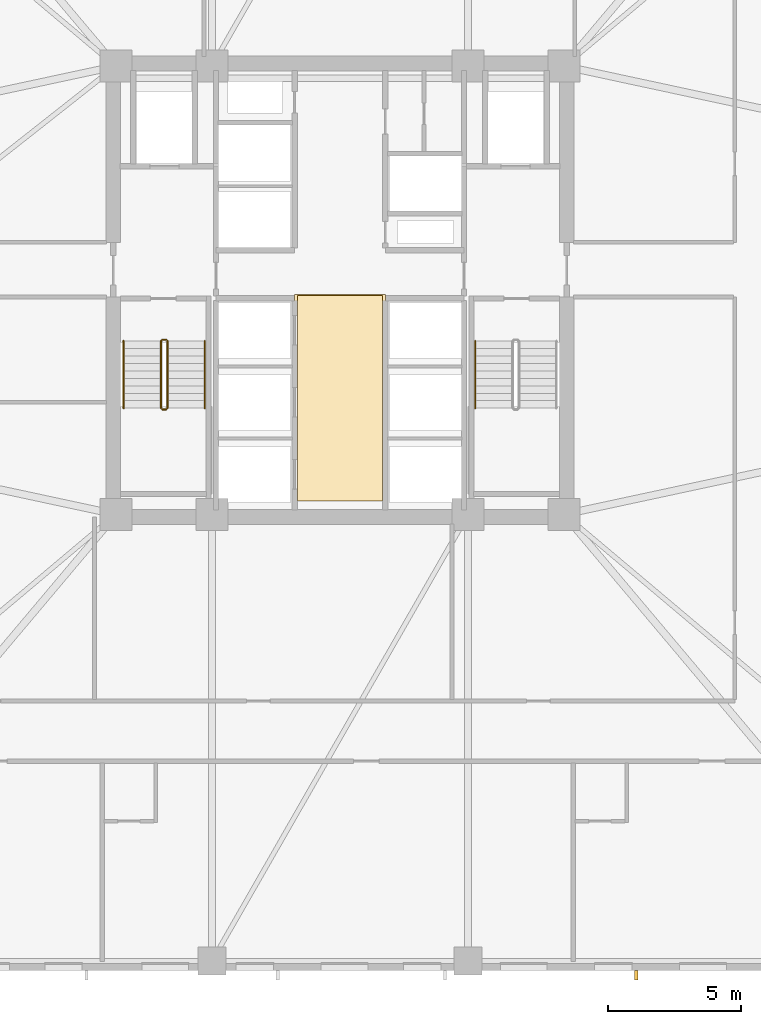
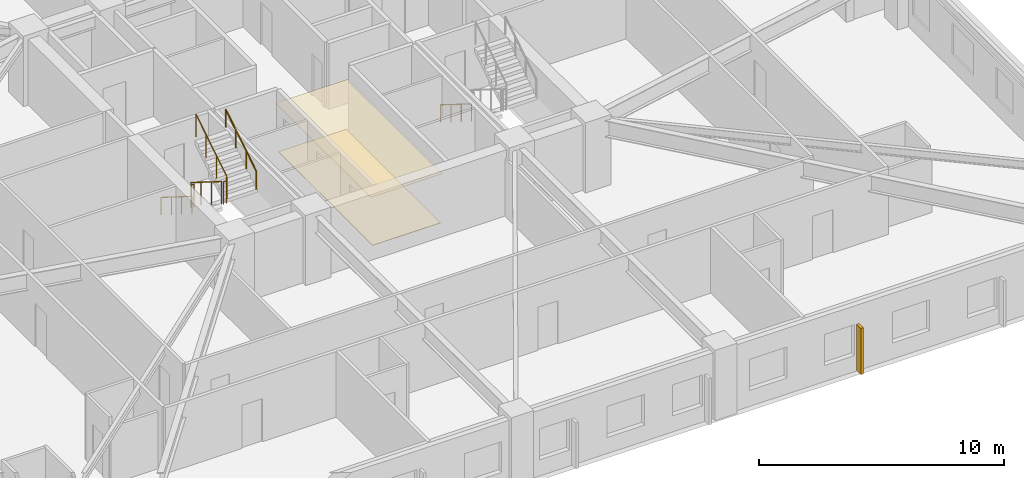
# One storey, part 8 of 11: 7 railings, 2 coverings, 1 shading device.
"""IFC4 building model written with IfcOpenShell, lengths in metres."""

from ifc_helpers import new_model, si_unit, direction, frame, origin, origin_2d, place, context, subcontext, project, spatial, polyline, rectangle, circle, outline, extrude, material, layer, layer_set, type_object, element, save


model = new_model("IFC4")

# Units and contexts
model_context = context("Model", 3, precision=1e-05, world=origin(), true_north=direction((0.0, 1.0)))
body_context = subcontext(model_context, "Body", "Model", "MODEL_VIEW")
ifc_project = project(units=[si_unit("LENGTHUNIT", "METRE"), si_unit("AREAUNIT", "SQUARE_METRE"), si_unit("VOLUMEUNIT", "CUBIC_METRE"), si_unit("PLANEANGLEUNIT", "RADIAN"), si_unit("MASSUNIT", "GRAM", prefix="KILO")], contexts=[model_context])

# Site, building, storey
site_placement = place(None, origin())
site = spatial("IfcSite", under=ifc_project, at=site_placement, CompositionType="ELEMENT")
building_placement = place(site_placement, origin())
building = spatial("IfcBuilding", under=site, at=building_placement, Name="Cairnveth Concourse Tower", CompositionType="ELEMENT")
storey_placement = place(building_placement, frame((0.0, 0.0, 69.0)))
storey = spatial("IfcBuildingStorey", under=building, at=storey_placement, Name="L18", CompositionType="ELEMENT", Elevation=69.0)

# Covering
ifc_material_1 = material(Name="Acoustic Mineral Fibre Ceiling", Category="gypsum")
ifc_layer_1 = layer(ifc_material_1, 0.02490234375)
ifc_layer_set_1 = layer_set([ifc_layer_1], Name="Acoustic Mineral Fibre Ceiling")
covering_type_1 = type_object("IfcCoveringType", Name="ACOUSTIC MINERAL FIBRE CEILING 25", PredefinedType="CEILING", material=ifc_layer_set_1)
covering_1_placement = place(storey_placement, frame((0.0, 0.0, 2.424072265625)))
element("IfcCovering", 1, at=covering_1_placement, inside=storey, type_object=covering_type_1, Name="Lift Lobby Acoustic Ceiling L18", PredefinedType="CEILING", context=body_context, shape_type="SweptSolid", body=[
    extrude(outline(polyline([(50.300048828125, 31.10009765625), (53.699951171875, 31.10009765625), (53.699951171875, 38.85009765625), (50.300048828125, 38.85009765625), (50.300048828125, 31.10009765625)])), origin(), (0.0, 0.0, 1.0), 0.02490234375),
])

# Shading device
ifc_material_2 = material(Name="Architectural Bronze Anodised Aluminium 6063-T6", Category="aluminium")
shading_device_type = type_object("IfcShadingDeviceType", Name="GOTHIC BRONZE VERTICAL LANCET FIN", PredefinedType="USERDEFINED", material=ifc_material_2)
shading_device_placement = place(storey_placement, frame((63.109619140625, 13.324951171875, 0.02978515625), z_axis=(0.0, 0.0, 1.0), x_axis=(1.0, 0.0, 0.0)))
element("IfcShadingDevice", 2, at=shading_device_placement, inside=storey, type_object=shading_device_type, Name="Gothic Bronze Vertical Fin L18-3-3", ObjectType="VERTICAL FIN", PredefinedType="USERDEFINED", context=body_context, shape_type="SweptSolid", body=[
    extrude(rectangle(XDim=0.1201171875, YDim=0.360107421875, at=origin_2d()), origin(), (0.0, 0.0, 1.0), 2.303955078125),
])

# Railings
ifc_material_3 = material(Name="Steel Grade 350", Category="steel")
railing_type_1 = type_object("IfcRailingType", Name="STAIR GUARDRAIL 1150", PredefinedType="GUARDRAIL", material=ifc_material_3)
railing_1_placement = place(storey_placement, frame((45.2900390625, 37.10009765625, 0.175048828125)))
element("IfcRailing", 3, at=railing_1_placement, inside=storey, type_object=railing_type_1, Name="L18 ST-1 stair guard 1", PredefinedType="GUARDRAIL", context=body_context, shape_type="SweptSolid", body=[
    extrude(circle(Radius=0.02392578125, at=origin_2d()), frame((0.0, 0.0, 1.1259765625), z_axis=(0.0, -0.848007534815, 0.529984170421), x_axis=(1.0, 0.0, 0.0)), (0.0, 0.0, 1.0), 2.9716796875),
    extrude(circle(Radius=0.02099609375, at=origin_2d()), origin(), (0.0, 0.0, 1.0), 1.101806640625),
    extrude(circle(Radius=0.02099609375, at=origin_2d()), frame((0.0, -0.840087890625, 0.52490234375)), (0.0, 0.0, 1.0), 1.101806640625),
    extrude(circle(Radius=0.02099609375, at=origin_2d()), frame((0.0, -1.679931640625, 1.050048828125)), (0.0, 0.0, 1.0), 1.101806640625),
    extrude(circle(Radius=0.02099609375, at=origin_2d()), frame((0.0, -2.52001953125, 1.574951171875)), (0.0, 0.0, 1.0), 1.101806640625),
])
railing_2_placement = place(storey_placement, frame((45.340087890625, 34.530029296875, 1.75)))
element("IfcRailing", 4, at=railing_2_placement, inside=storey, type_object=railing_type_1, Name="L18 ST-1 stair guard 2", PredefinedType="GUARDRAIL", context=body_context, shape_type="SweptSolid", body=[
    extrude(circle(Radius=0.02392578125, at=origin_2d()), frame((0.0, 0.0, 1.1259765625), z_axis=(1.0, 0.0, 0.0), x_axis=(0.0, 1.0, 0.0)), (0.0, 0.0, 1.0), 0.139892578125),
    extrude(circle(Radius=0.02099609375, at=origin_2d()), origin(), (0.0, 0.0, 1.0), 1.101806640625),
    extrude(circle(Radius=0.02099609375, at=origin_2d()), frame((0.139892578125, 0.0, 0.0)), (0.0, 0.0, 1.0), 1.101806640625),
])
railing_3_placement = place(storey_placement, frame((45.530029296875, 34.580078125, 1.925048828125)))
element("IfcRailing", 5, at=railing_3_placement, inside=storey, type_object=railing_type_1, Name="L18 ST-1 stair guard 3", PredefinedType="GUARDRAIL", context=body_context, shape_type="SweptSolid", body=[
    extrude(circle(Radius=0.02392578125, at=origin_2d()), frame((0.0, 0.0, 1.1259765625), z_axis=(0.0, 0.848007534815, 0.529984170421), x_axis=(-1.0, 0.0, 0.0)), (0.0, 0.0, 1.0), 2.9716796875),
    extrude(circle(Radius=0.02099609375, at=origin_2d()), origin(), (0.0, 0.0, 1.0), 1.101806640625),
    extrude(circle(Radius=0.02099609375, at=origin_2d()), frame((0.0, 0.840087890625, 0.52490234375)), (0.0, 0.0, 1.0), 1.101806640625),
    extrude(circle(Radius=0.02099609375, at=origin_2d()), frame((0.0, 1.679931640625, 1.050048828125)), (0.0, 0.0, 1.0), 1.101806640625),
    extrude(circle(Radius=0.02099609375, at=origin_2d()), frame((0.0, 2.52001953125, 1.574951171875)), (0.0, 0.0, 1.0), 1.101806640625),
])
railing_4_placement = place(storey_placement, frame((45.340087890625, 37.14990234375, 0.0)))
element("IfcRailing", 6, at=railing_4_placement, inside=storey, type_object=railing_type_1, Name="L18 ST-1 stair guard 4", PredefinedType="GUARDRAIL", context=body_context, shape_type="SweptSolid", body=[
    extrude(circle(Radius=0.02392578125, at=origin_2d()), frame((0.0, 0.0, 1.1259765625), z_axis=(1.0, 0.0, 0.0), x_axis=(0.0, 1.0, 0.0)), (0.0, 0.0, 1.0), 0.139892578125),
    extrude(circle(Radius=0.02099609375, at=origin_2d()), origin(), (0.0, 0.0, 1.0), 1.101806640625),
    extrude(circle(Radius=0.02099609375, at=origin_2d()), frame((0.139892578125, 0.0, 0.0)), (0.0, 0.0, 1.0), 1.101806640625),
])
railing_type_2 = type_object("IfcRailingType", Name="STAIR WALL HANDRAIL 900", PredefinedType="HANDRAIL", material=ifc_material_3)
railing_5_placement = place(storey_placement, frame((43.889892578125, 37.10009765625, 0.175048828125)))
element("IfcRailing", 7, at=railing_5_placement, inside=storey, type_object=railing_type_2, Name="L18 ST-1 stair handrail 1", PredefinedType="HANDRAIL", context=body_context, shape_type="SweptSolid", body=[
    extrude(circle(Radius=0.02392578125, at=origin_2d()), frame((0.0, 0.0, 0.8759765625), z_axis=(0.0, -0.848007534815, 0.529984170421), x_axis=(1.0, 0.0, 0.0)), (0.0, 0.0, 1.0), 2.9716796875),
    extrude(circle(Radius=0.02099609375, at=origin_2d()), origin(), (0.0, 0.0, 1.0), 0.851806640625),
    extrude(circle(Radius=0.02099609375, at=origin_2d()), frame((0.0, -0.840087890625, 0.52490234375)), (0.0, 0.0, 1.0), 0.851806640625),
    extrude(circle(Radius=0.02099609375, at=origin_2d()), frame((0.0, -1.679931640625, 1.050048828125)), (0.0, 0.0, 1.0), 0.851806640625),
    extrude(circle(Radius=0.02099609375, at=origin_2d()), frame((0.0, -2.52001953125, 1.574951171875)), (0.0, 0.0, 1.0), 0.851806640625),
])
railing_6_placement = place(storey_placement, frame((46.929931640625, 34.580078125, 1.925048828125)))
element("IfcRailing", 8, at=railing_6_placement, inside=storey, type_object=railing_type_2, Name="L18 ST-1 stair handrail 2", PredefinedType="HANDRAIL", context=body_context, shape_type="SweptSolid", body=[
    extrude(circle(Radius=0.02392578125, at=origin_2d()), frame((0.0, 0.0, 0.8759765625), z_axis=(0.0, 0.848007534815, 0.529984170421), x_axis=(-1.0, 0.0, 0.0)), (0.0, 0.0, 1.0), 2.9716796875),
    extrude(circle(Radius=0.02099609375, at=origin_2d()), origin(), (0.0, 0.0, 1.0), 0.851806640625),
    extrude(circle(Radius=0.02099609375, at=origin_2d()), frame((0.0, 0.840087890625, 0.52490234375)), (0.0, 0.0, 1.0), 0.851806640625),
    extrude(circle(Radius=0.02099609375, at=origin_2d()), frame((0.0, 1.679931640625, 1.050048828125)), (0.0, 0.0, 1.0), 0.851806640625),
    extrude(circle(Radius=0.02099609375, at=origin_2d()), frame((0.0, 2.52001953125, 1.574951171875)), (0.0, 0.0, 1.0), 0.851806640625),
])
railing_7_placement = place(storey_placement, frame((57.070068359375, 37.10009765625, 0.175048828125)))
element("IfcRailing", 9, at=railing_7_placement, inside=storey, type_object=railing_type_2, Name="L18 ST-2 stair handrail 1", PredefinedType="HANDRAIL", context=body_context, shape_type="SweptSolid", body=[
    extrude(circle(Radius=0.02392578125, at=origin_2d()), frame((0.0, 0.0, 0.8759765625), z_axis=(0.0, -0.848007534815, 0.529984170421), x_axis=(1.0, 0.0, 0.0)), (0.0, 0.0, 1.0), 2.9716796875),
    extrude(circle(Radius=0.02099609375, at=origin_2d()), origin(), (0.0, 0.0, 1.0), 0.851806640625),
    extrude(circle(Radius=0.02099609375, at=origin_2d()), frame((0.0, -0.840087890625, 0.52490234375)), (0.0, 0.0, 1.0), 0.851806640625),
    extrude(circle(Radius=0.02099609375, at=origin_2d()), frame((0.0, -1.679931640625, 1.050048828125)), (0.0, 0.0, 1.0), 0.851806640625),
    extrude(circle(Radius=0.02099609375, at=origin_2d()), frame((0.0, -2.52001953125, 1.574951171875)), (0.0, 0.0, 1.0), 0.851806640625),
])

# Covering
ifc_material_4 = material(Name="Vitrified Stoneware Tile Flooring", Category="masonry")
ifc_layer_2 = layer(ifc_material_4, 0.02001953125)
ifc_layer_set_2 = layer_set([ifc_layer_2], Name="Vitrified Stoneware Tile Flooring")
covering_type_2 = type_object("IfcCoveringType", Name="VITRIFIED STONEWARE LOBBY FLOORING 20", PredefinedType="FLOORING", material=ifc_layer_set_2)
covering_2_placement = place(storey_placement, origin())
element("IfcCovering", 10, at=covering_2_placement, inside=storey, type_object=covering_type_2, Name="Lift Lobby Stoneware Flooring L18", PredefinedType="FLOORING", context=body_context, shape_type="SweptSolid", body=[
    extrude(outline(polyline([(50.39990234375, 31.10009765625), (53.60009765625, 31.10009765625), (53.60009765625, 38.800048828125), (50.39990234375, 38.800048828125), (50.39990234375, 31.10009765625)])), origin(), (0.0, 0.0, 1.0), 0.02001953125),
])

save(model, "model.ifc")
